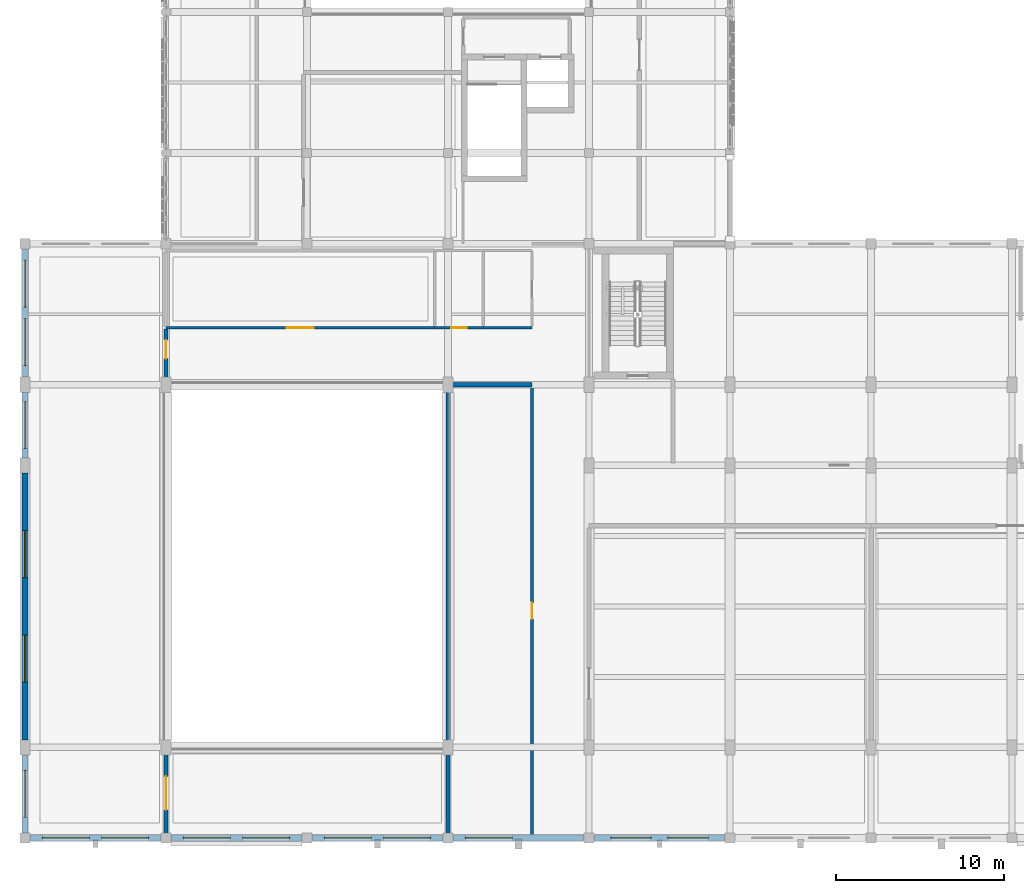
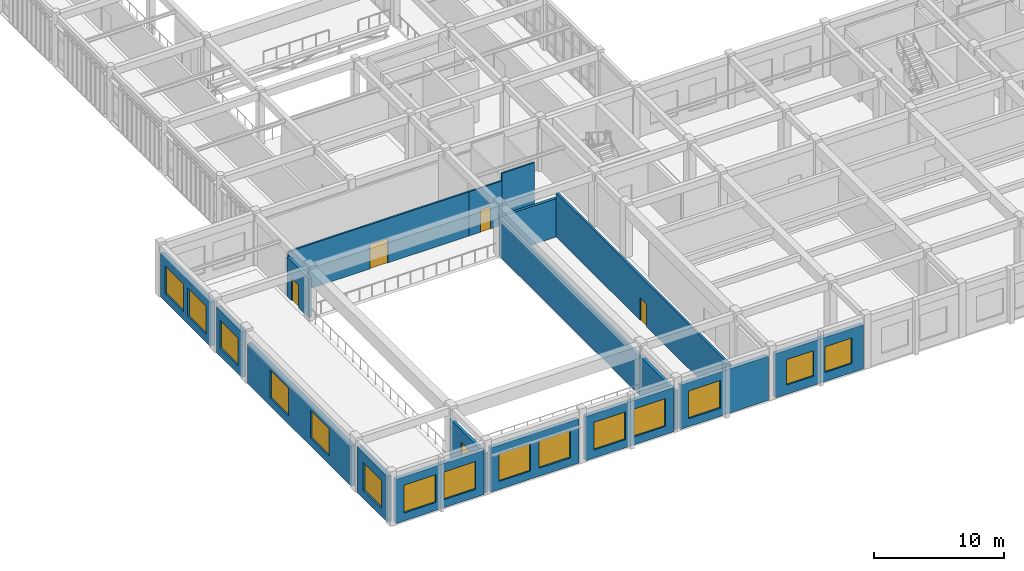
# One storey, part 56 of 77: 18 walls, 15 windows, 5 doors, 20 openings.
"""IFC4 building model written with IfcOpenShell, lengths in metres."""

from ifc_helpers import new_model, si_unit, direction, frame, frame_2d, origin, place, context, subcontext, project, spatial, rectangle, extrude, material, layer, layer_set, type_object, element, fill, save


model = new_model("IFC4")

# Units and contexts
model_context = context("Model", 3, precision=1e-05, world=origin(), true_north=direction((0.0, 1.0)))
body_context = subcontext(model_context, "Body", "Model", "MODEL_VIEW")
ifc_project = project(units=[si_unit("LENGTHUNIT", "METRE"), si_unit("AREAUNIT", "SQUARE_METRE"), si_unit("VOLUMEUNIT", "CUBIC_METRE"), si_unit("PLANEANGLEUNIT", "RADIAN"), si_unit("MASSUNIT", "GRAM", prefix="KILO")], contexts=[model_context])

# Site, building, storey
site_placement = place(None, origin())
site = spatial("IfcSite", under=ifc_project, at=site_placement, CompositionType="ELEMENT")
building_placement = place(site_placement, origin())
building = spatial("IfcBuilding", under=site, at=building_placement, Name="Krzemoval Escarpment Law Courts", CompositionType="ELEMENT")
storey_placement = place(building_placement, frame((0.0, 0.0, 15.300048828125)))
storey = spatial("IfcBuildingStorey", under=building, at=storey_placement, Name="L03", CompositionType="ELEMENT", Elevation=15.300048828125)

# Wall, openings, windows
ifc_material_1 = material(Name="Precast concrete C40/50", Category="concrete")
ifc_layer_1 = layer(ifc_material_1, 0.340087890625)
ifc_layer_set_1 = layer_set([ifc_layer_1], Name="Precast concrete C40/50")
wall_type_1 = type_object("IfcWallType", Name="WL-EXT-340", PredefinedType="SOLIDWALL", material=ifc_layer_set_1)
wall_1_placement = place(storey_placement, frame((41.699951171875, 0.0, 0.0), z_axis=(0.0, 0.0, 1.0), x_axis=(-1.0, 0.0, 0.0)))
wall_1 = element("IfcWall", 1, at=wall_1_placement, inside=storey, type_object=wall_type_1, Name="Exterior Wall EW-L03-0351", PredefinedType="SOLIDWALL", context=body_context, shape_type="SweptSolid", body=[
    extrude(rectangle(XDim=7.800048828125, YDim=0.340087890625, at=frame_2d((3.89990234375, 0.0))), origin(), (0.0, 0.0, 1.0), 4.139892578125),
])
opening_1_placement = place(wall_1_placement, frame((1.0, 0.0, 0.85009765625)))
opening_1 = element("IfcOpeningElement", 2, at=opening_1_placement, cuts=wall_1, Name="Opening WN-L03-0394", PredefinedType="OPENING", context=body_context, shape_type="SweptSolid", body=[
    extrude(rectangle(XDim=2.39990234375, YDim=2.39990234375, at=frame_2d((1.199951171875, 1.199951171875))), frame((0.0, 0.18504, 0.0), z_axis=(0.0, -1.0, 0.0), x_axis=(1.0, 0.0, 0.0)), (0.0, 0.0, 1.0), 0.37009),
])
opening_2_placement = place(wall_1_placement, frame((4.39990234375, 0.0, 0.85009765625)))
opening_2 = element("IfcOpeningElement", 3, at=opening_2_placement, cuts=wall_1, Name="Opening WN-L03-0395", PredefinedType="OPENING", context=body_context, shape_type="SweptSolid", body=[
    extrude(rectangle(XDim=2.39990234375, YDim=2.39990234375, at=frame_2d((1.199951171875, 1.199951171875))), frame((0.0, 0.18504, 0.0), z_axis=(0.0, -1.0, 0.0), x_axis=(1.0, 0.0, 0.0)), (0.0, 0.0, 1.0), 0.37009),
])
ifc_material_2 = material(Name="Thermally Broken Aluminium Frame with Triple Low-E Acoustic Glass", Category="aluminium")
window_type_1 = type_object("IfcWindowType", Name="WN-2400x2400", PartitioningType="SINGLE_PANEL", PredefinedType="WINDOW", material=ifc_material_2)
window_1_placement = place(opening_1_placement, origin())
window_1 = element("IfcWindow", 4, at=window_1_placement, inside=storey, type_object=window_type_1, Name="Facade Window WN-L03-0394", OverallHeight=2.39990234375, OverallWidth=2.39990234375, PartitioningType="SINGLE_PANEL", PredefinedType="WINDOW", context=body_context, shape_type="SweptSolid", body=[
    extrude(rectangle(XDim=2.39990234375, YDim=2.39990234375, at=frame_2d((1.199951171875, 1.199951171875))), frame((0.0, 0.030029296875, 0.0), z_axis=(0.0, -1.0, 0.0), x_axis=(1.0, 0.0, 0.0)), (0.0, 0.0, 1.0), 0.06005859375),
])
fill(opening_1, window_1)
window_2_placement = place(opening_2_placement, origin())
window_2 = element("IfcWindow", 5, at=window_2_placement, inside=storey, type_object=window_type_1, Name="Facade Window WN-L03-0395", OverallHeight=2.39990234375, OverallWidth=2.39990234375, PartitioningType="SINGLE_PANEL", PredefinedType="WINDOW", context=body_context, shape_type="SweptSolid", body=[
    extrude(rectangle(XDim=2.39990234375, YDim=2.39990234375, at=frame_2d((1.199951171875, 1.199951171875))), frame((0.0, 0.030029296875, 0.0), z_axis=(0.0, -1.0, 0.0), x_axis=(1.0, 0.0, 0.0)), (0.0, 0.0, 1.0), 0.06005859375),
])
fill(opening_2, window_2)

# Wall, opening, window
wall_2_placement = place(storey_placement, frame((33.300048828125, 0.0, 0.0), z_axis=(0.0, 0.0, 1.0), x_axis=(-1.0, 0.0, 0.0)))
wall_2 = element("IfcWall", 6, at=wall_2_placement, inside=storey, type_object=wall_type_1, Name="Exterior Wall EW-L03-0352", PredefinedType="SOLIDWALL", context=body_context, shape_type="SweptSolid", body=[
    extrude(rectangle(XDim=7.800048828125, YDim=0.340087890625, at=frame_2d((3.89990234375, 0.0))), origin(), (0.0, 0.0, 1.0), 4.139892578125),
])
opening_3_placement = place(wall_2_placement, frame((4.26708984375, 0.0, 0.75)))
opening_3 = element("IfcOpeningElement", 7, at=opening_3_placement, cuts=wall_2, Name="Opening WN-L03-0396", PredefinedType="OPENING", context=body_context, shape_type="SweptSolid", body=[
    extrude(rectangle(XDim=2.800048828125, YDim=2.60009765625, at=frame_2d((1.39990234375, 1.300048828125))), frame((0.0, 0.18504, 0.0), z_axis=(0.0, -1.0, 0.0), x_axis=(1.0, 0.0, 0.0)), (0.0, 0.0, 1.0), 0.37009),
])
ifc_material_3 = material(Name="Thermally Broken Aluminium Frame with Triple Low-E Acoustic Glass", Category="aluminium")
window_type_2 = type_object("IfcWindowType", Name="WN-2800x2600", PartitioningType="SINGLE_PANEL", PredefinedType="WINDOW", material=ifc_material_3)
window_3_placement = place(opening_3_placement, origin())
window_3 = element("IfcWindow", 8, at=window_3_placement, inside=storey, type_object=window_type_2, Name="Facade Window WN-L03-0396", OverallHeight=2.60009765625, OverallWidth=2.800048828125, PartitioningType="SINGLE_PANEL", PredefinedType="WINDOW", context=body_context, shape_type="SweptSolid", body=[
    extrude(rectangle(XDim=2.800048828125, YDim=2.60009765625, at=frame_2d((1.39990234375, 1.300048828125))), frame((0.0, 0.030029296875, 0.0), z_axis=(0.0, -1.0, 0.0), x_axis=(1.0, 0.0, 0.0)), (0.0, 0.0, 1.0), 0.06005859375),
])
fill(opening_3, window_3)

# Wall, openings, windows
wall_3_placement = place(storey_placement, frame((24.89990234375, 0.0, 0.0), z_axis=(0.0, 0.0, 1.0), x_axis=(-1.0, 0.0, 0.0)))
wall_3 = element("IfcWall", 9, at=wall_3_placement, inside=storey, type_object=wall_type_1, Name="Exterior Wall EW-L03-0353", PredefinedType="SOLIDWALL", context=body_context, shape_type="SweptSolid", body=[
    extrude(rectangle(XDim=7.7998046875, YDim=0.340087890625, at=frame_2d((3.89990234375, 0.0))), origin(), (0.0, 0.0, 1.0), 4.139892578125),
])
opening_4_placement = place(wall_3_placement, frame((0.73291015625, 0.0, 0.75)))
opening_4 = element("IfcOpeningElement", 10, at=opening_4_placement, cuts=wall_3, Name="Opening WN-L03-0397", PredefinedType="OPENING", context=body_context, shape_type="SweptSolid", body=[
    extrude(rectangle(XDim=2.800048828125, YDim=2.60009765625, at=frame_2d((1.39990234375, 1.300048828125))), frame((0.0, 0.18504, 0.0), z_axis=(0.0, -1.0, 0.0), x_axis=(1.0, 0.0, 0.0)), (0.0, 0.0, 1.0), 0.37009),
])
opening_5_placement = place(wall_3_placement, frame((4.26708984375, 0.0, 0.75)))
opening_5 = element("IfcOpeningElement", 11, at=opening_5_placement, cuts=wall_3, Name="Opening WN-L03-0398", PredefinedType="OPENING", context=body_context, shape_type="SweptSolid", body=[
    extrude(rectangle(XDim=2.800048828125, YDim=2.60009765625, at=frame_2d((1.39990234375, 1.300048828125))), frame((0.0, 0.18504, 0.0), z_axis=(0.0, -1.0, 0.0), x_axis=(1.0, 0.0, 0.0)), (0.0, 0.0, 1.0), 0.37009),
])
window_4_placement = place(opening_4_placement, origin())
window_4 = element("IfcWindow", 12, at=window_4_placement, inside=storey, type_object=window_type_2, Name="Facade Window WN-L03-0397", OverallHeight=2.60009765625, OverallWidth=2.800048828125, PartitioningType="SINGLE_PANEL", PredefinedType="WINDOW", context=body_context, shape_type="SweptSolid", body=[
    extrude(rectangle(XDim=2.800048828125, YDim=2.60009765625, at=frame_2d((1.39990234375, 1.300048828125))), frame((0.0, 0.030029296875, 0.0), z_axis=(0.0, -1.0, 0.0), x_axis=(1.0, 0.0, 0.0)), (0.0, 0.0, 1.0), 0.06005859375),
])
fill(opening_4, window_4)
window_5_placement = place(opening_5_placement, origin())
window_5 = element("IfcWindow", 13, at=window_5_placement, inside=storey, type_object=window_type_2, Name="Facade Window WN-L03-0398", OverallHeight=2.60009765625, OverallWidth=2.800048828125, PartitioningType="SINGLE_PANEL", PredefinedType="WINDOW", context=body_context, shape_type="SweptSolid", body=[
    extrude(rectangle(XDim=2.800048828125, YDim=2.60009765625, at=frame_2d((1.39990234375, 1.300048828125))), frame((0.0, 0.030029296875, 0.0), z_axis=(0.0, -1.0, 0.0), x_axis=(1.0, 0.0, 0.0)), (0.0, 0.0, 1.0), 0.06005859375),
])
fill(opening_5, window_5)

wall_4_placement = place(storey_placement, frame((16.5, 0.0, 0.0), z_axis=(0.0, 0.0, 1.0), x_axis=(-1.0, 0.0, 0.0)))
wall_4 = element("IfcWall", 14, at=wall_4_placement, inside=storey, type_object=wall_type_1, Name="Exterior Wall EW-L03-0354", PredefinedType="SOLIDWALL", context=body_context, shape_type="SweptSolid", body=[
    extrude(rectangle(XDim=7.800048828125, YDim=0.340087890625, at=frame_2d((3.89990234375, 0.0))), origin(), (0.0, 0.0, 1.0), 4.139892578125),
])
opening_6_placement = place(wall_4_placement, frame((0.73291015625, 0.0, 0.75)))
opening_6 = element("IfcOpeningElement", 15, at=opening_6_placement, cuts=wall_4, Name="Opening WN-L03-0399", PredefinedType="OPENING", context=body_context, shape_type="SweptSolid", body=[
    extrude(rectangle(XDim=2.800048828125, YDim=2.60009765625, at=frame_2d((1.39990234375, 1.300048828125))), frame((0.0, 0.18504, 0.0), z_axis=(0.0, -1.0, 0.0), x_axis=(1.0, 0.0, 0.0)), (0.0, 0.0, 1.0), 0.37009),
])
opening_7_placement = place(wall_4_placement, frame((4.26708984375, 0.0, 0.75)))
opening_7 = element("IfcOpeningElement", 16, at=opening_7_placement, cuts=wall_4, Name="Opening WN-L03-0400", PredefinedType="OPENING", context=body_context, shape_type="SweptSolid", body=[
    extrude(rectangle(XDim=2.800048828125, YDim=2.60009765625, at=frame_2d((1.39990234375, 1.300048828125))), frame((0.0, 0.18504, 0.0), z_axis=(0.0, -1.0, 0.0), x_axis=(1.0, 0.0, 0.0)), (0.0, 0.0, 1.0), 0.37009),
])
window_6_placement = place(opening_6_placement, origin())
window_6 = element("IfcWindow", 17, at=window_6_placement, inside=storey, type_object=window_type_2, Name="Facade Window WN-L03-0399", OverallHeight=2.60009765625, OverallWidth=2.800048828125, PartitioningType="SINGLE_PANEL", PredefinedType="WINDOW", context=body_context, shape_type="SweptSolid", body=[
    extrude(rectangle(XDim=2.800048828125, YDim=2.60009765625, at=frame_2d((1.39990234375, 1.300048828125))), frame((0.0, 0.030029296875, 0.0), z_axis=(0.0, -1.0, 0.0), x_axis=(1.0, 0.0, 0.0)), (0.0, 0.0, 1.0), 0.06005859375),
])
fill(opening_6, window_6)
window_7_placement = place(opening_7_placement, origin())
window_7 = element("IfcWindow", 18, at=window_7_placement, inside=storey, type_object=window_type_2, Name="Facade Window WN-L03-0400", OverallHeight=2.60009765625, OverallWidth=2.800048828125, PartitioningType="SINGLE_PANEL", PredefinedType="WINDOW", context=body_context, shape_type="SweptSolid", body=[
    extrude(rectangle(XDim=2.800048828125, YDim=2.60009765625, at=frame_2d((1.39990234375, 1.300048828125))), frame((0.0, 0.030029296875, 0.0), z_axis=(0.0, -1.0, 0.0), x_axis=(1.0, 0.0, 0.0)), (0.0, 0.0, 1.0), 0.06005859375),
])
fill(opening_7, window_7)

wall_5_placement = place(storey_placement, frame((8.10009765625, 0.0, 0.0), z_axis=(0.0, 0.0, 1.0), x_axis=(-1.0, 0.0, 0.0)))
wall_5 = element("IfcWall", 19, at=wall_5_placement, inside=storey, type_object=wall_type_1, Name="Exterior Wall EW-L03-0355", PredefinedType="SOLIDWALL", context=body_context, shape_type="SweptSolid", body=[
    extrude(rectangle(XDim=7.800048828125, YDim=0.340087890625, at=frame_2d((3.89990234375, 0.0))), origin(), (0.0, 0.0, 1.0), 4.139892578125),
])
opening_8_placement = place(wall_5_placement, frame((0.73291015625, 0.0, 0.75)))
opening_8 = element("IfcOpeningElement", 20, at=opening_8_placement, cuts=wall_5, Name="Opening WN-L03-0401", PredefinedType="OPENING", context=body_context, shape_type="SweptSolid", body=[
    extrude(rectangle(XDim=2.800048828125, YDim=2.60009765625, at=frame_2d((1.39990234375, 1.300048828125))), frame((0.0, 0.18504, 0.0), z_axis=(0.0, -1.0, 0.0), x_axis=(1.0, 0.0, 0.0)), (0.0, 0.0, 1.0), 0.37009),
])
opening_9_placement = place(wall_5_placement, frame((4.26708984375, 0.0, 0.75)))
opening_9 = element("IfcOpeningElement", 21, at=opening_9_placement, cuts=wall_5, Name="Opening WN-L03-0402", PredefinedType="OPENING", context=body_context, shape_type="SweptSolid", body=[
    extrude(rectangle(XDim=2.800048828125, YDim=2.60009765625, at=frame_2d((1.39990234375, 1.300048828125))), frame((0.0, 0.18504, 0.0), z_axis=(0.0, -1.0, 0.0), x_axis=(1.0, 0.0, 0.0)), (0.0, 0.0, 1.0), 0.37009),
])
window_8_placement = place(opening_8_placement, origin())
window_8 = element("IfcWindow", 22, at=window_8_placement, inside=storey, type_object=window_type_2, Name="Facade Window WN-L03-0401", OverallHeight=2.60009765625, OverallWidth=2.800048828125, PartitioningType="SINGLE_PANEL", PredefinedType="WINDOW", context=body_context, shape_type="SweptSolid", body=[
    extrude(rectangle(XDim=2.800048828125, YDim=2.60009765625, at=frame_2d((1.39990234375, 1.300048828125))), frame((0.0, 0.030029296875, 0.0), z_axis=(0.0, -1.0, 0.0), x_axis=(1.0, 0.0, 0.0)), (0.0, 0.0, 1.0), 0.06005859375),
])
fill(opening_8, window_8)
window_9_placement = place(opening_9_placement, origin())
window_9 = element("IfcWindow", 23, at=window_9_placement, inside=storey, type_object=window_type_2, Name="Facade Window WN-L03-0402", OverallHeight=2.60009765625, OverallWidth=2.800048828125, PartitioningType="SINGLE_PANEL", PredefinedType="WINDOW", context=body_context, shape_type="SweptSolid", body=[
    extrude(rectangle(XDim=2.800048828125, YDim=2.60009765625, at=frame_2d((1.39990234375, 1.300048828125))), frame((0.0, 0.030029296875, 0.0), z_axis=(0.0, -1.0, 0.0), x_axis=(1.0, 0.0, 0.0)), (0.0, 0.0, 1.0), 0.06005859375),
])
fill(opening_9, window_9)

# Wall, opening, window
wall_6_placement = place(storey_placement, frame((0.0, 0.300048828125, 0.0), z_axis=(0.0, 0.0, 1.0), x_axis=(0.0, 1.0, 0.0)))
wall_6 = element("IfcWall", 24, at=wall_6_placement, inside=storey, type_object=wall_type_1, Name="Exterior Wall EW-L03-0356", PredefinedType="SOLIDWALL", context=body_context, shape_type="SweptSolid", body=[
    extrude(rectangle(XDim=4.64990234375, YDim=0.340087890625, at=frame_2d((2.324951171875, 0.0))), origin(), (0.0, 0.0, 1.0), 4.2900390625),
])
opening_10_placement = place(wall_6_placement, frame((0.925048828125, 0.0, 0.75)))
opening_10 = element("IfcOpeningElement", 25, at=opening_10_placement, cuts=wall_6, Name="Opening WN-L03-0403", PredefinedType="OPENING", context=body_context, shape_type="SweptSolid", body=[
    extrude(rectangle(XDim=2.800048828125, YDim=2.60009765625, at=frame_2d((1.39990234375, 1.300048828125))), frame((0.0, 0.18504, 0.0), z_axis=(0.0, -1.0, 0.0), x_axis=(1.0, 0.0, 0.0)), (0.0, 0.0, 1.0), 0.37009),
])
window_10_placement = place(opening_10_placement, origin())
window_10 = element("IfcWindow", 26, at=window_10_placement, inside=storey, type_object=window_type_2, Name="Facade Window WN-L03-0403", OverallHeight=2.60009765625, OverallWidth=2.800048828125, PartitioningType="SINGLE_PANEL", PredefinedType="WINDOW", context=body_context, shape_type="SweptSolid", body=[
    extrude(rectangle(XDim=2.800048828125, YDim=2.60009765625, at=frame_2d((1.39990234375, 1.300048828125))), frame((0.0, 0.030029296875, 0.0), z_axis=(0.0, -1.0, 0.0), x_axis=(1.0, 0.0, 0.0)), (0.0, 0.0, 1.0), 0.06005859375),
])
fill(opening_10, window_10)

# Wall, openings, windows
wall_7_placement = place(storey_placement, frame((0.0, 5.85009765625, 0.0), z_axis=(0.0, 0.0, 1.0), x_axis=(0.0, 1.0, 0.0)))
wall_7 = element("IfcWall", 27, at=wall_7_placement, inside=storey, type_object=wall_type_1, Name="Exterior Wall EW-L03-0357", PredefinedType="SOLIDWALL", context=body_context, shape_type="SweptSolid", body=[
    extrude(rectangle(XDim=15.89990234375, YDim=0.340087890625, at=frame_2d((7.949951171875, 0.0))), origin(), (0.0, 0.0, 1.0), 3.7900390625),
])
opening_11_placement = place(wall_7_placement, frame((3.43310546875, 0.0, 0.75)))
opening_11 = element("IfcOpeningElement", 28, at=opening_11_placement, cuts=wall_7, Name="Opening WN-L03-0404", PredefinedType="OPENING", context=body_context, shape_type="SweptSolid", body=[
    extrude(rectangle(XDim=2.800048828125, YDim=2.60009765625, at=frame_2d((1.39990234375, 1.300048828125))), frame((0.0, 0.18504, 0.0), z_axis=(0.0, -1.0, 0.0), x_axis=(1.0, 0.0, 0.0)), (0.0, 0.0, 1.0), 0.37009),
])
opening_12_placement = place(wall_7_placement, frame((9.6669921875, 0.0, 0.75)))
opening_12 = element("IfcOpeningElement", 29, at=opening_12_placement, cuts=wall_7, Name="Opening WN-L03-0405", PredefinedType="OPENING", context=body_context, shape_type="SweptSolid", body=[
    extrude(rectangle(XDim=2.800048828125, YDim=2.60009765625, at=frame_2d((1.39990234375, 1.300048828125))), frame((0.0, 0.18504, 0.0), z_axis=(0.0, -1.0, 0.0), x_axis=(1.0, 0.0, 0.0)), (0.0, 0.0, 1.0), 0.37009),
])
window_11_placement = place(opening_11_placement, origin())
window_11 = element("IfcWindow", 30, at=window_11_placement, inside=storey, type_object=window_type_2, Name="Facade Window WN-L03-0404", OverallHeight=2.60009765625, OverallWidth=2.800048828125, PartitioningType="SINGLE_PANEL", PredefinedType="WINDOW", context=body_context, shape_type="SweptSolid", body=[
    extrude(rectangle(XDim=2.800048828125, YDim=2.60009765625, at=frame_2d((1.39990234375, 1.300048828125))), frame((0.0, 0.030029296875, 0.0), z_axis=(0.0, -1.0, 0.0), x_axis=(1.0, 0.0, 0.0)), (0.0, 0.0, 1.0), 0.06005859375),
])
fill(opening_11, window_11)
window_12_placement = place(opening_12_placement, origin())
window_12 = element("IfcWindow", 31, at=window_12_placement, inside=storey, type_object=window_type_2, Name="Facade Window WN-L03-0405", OverallHeight=2.60009765625, OverallWidth=2.800048828125, PartitioningType="SINGLE_PANEL", PredefinedType="WINDOW", context=body_context, shape_type="SweptSolid", body=[
    extrude(rectangle(XDim=2.800048828125, YDim=2.60009765625, at=frame_2d((1.39990234375, 1.300048828125))), frame((0.0, 0.030029296875, 0.0), z_axis=(0.0, -1.0, 0.0), x_axis=(1.0, 0.0, 0.0)), (0.0, 0.0, 1.0), 0.06005859375),
])
fill(opening_12, window_12)

# Wall, opening, window
wall_8_placement = place(storey_placement, frame((0.0, 22.64990234375, 0.0), z_axis=(0.0, 0.0, 1.0), x_axis=(0.0, 1.0, 0.0)))
wall_8 = element("IfcWall", 32, at=wall_8_placement, inside=storey, type_object=wall_type_1, Name="Exterior Wall EW-L03-0358", PredefinedType="SOLIDWALL", context=body_context, shape_type="SweptSolid", body=[
    extrude(rectangle(XDim=3.900146484375, YDim=0.340087890625, at=frame_2d((1.9501953125, 0.0))), origin(), (0.0, 0.0, 1.0), 4.2900390625),
])
opening_13_placement = place(wall_8_placement, frame((0.550048828125, 0.0, 0.75)))
opening_13 = element("IfcOpeningElement", 33, at=opening_13_placement, cuts=wall_8, Name="Opening WN-L03-0406", PredefinedType="OPENING", context=body_context, shape_type="SweptSolid", body=[
    extrude(rectangle(XDim=2.800048828125, YDim=2.60009765625, at=frame_2d((1.39990234375, 1.300048828125))), frame((0.0, 0.18504, 0.0), z_axis=(0.0, -1.0, 0.0), x_axis=(1.0, 0.0, 0.0)), (0.0, 0.0, 1.0), 0.37009),
])
window_13_placement = place(opening_13_placement, origin())
window_13 = element("IfcWindow", 34, at=window_13_placement, inside=storey, type_object=window_type_2, Name="Facade Window WN-L03-0406", OverallHeight=2.60009765625, OverallWidth=2.800048828125, PartitioningType="SINGLE_PANEL", PredefinedType="WINDOW", context=body_context, shape_type="SweptSolid", body=[
    extrude(rectangle(XDim=2.800048828125, YDim=2.60009765625, at=frame_2d((1.39990234375, 1.300048828125))), frame((0.0, 0.030029296875, 0.0), z_axis=(0.0, -1.0, 0.0), x_axis=(1.0, 0.0, 0.0)), (0.0, 0.0, 1.0), 0.06005859375),
])
fill(opening_13, window_13)

# Wall, openings, windows
wall_9_placement = place(storey_placement, frame((0.0, 27.449951171875, 0.0), z_axis=(0.0, 0.0, 1.0), x_axis=(0.0, 1.0, 0.0)))
wall_9 = element("IfcWall", 35, at=wall_9_placement, inside=storey, type_object=wall_type_1, Name="Exterior Wall EW-L03-0359", PredefinedType="SOLIDWALL", context=body_context, shape_type="SweptSolid", body=[
    extrude(rectangle(XDim=7.650146484375, YDim=0.340087890625, at=frame_2d((3.8251953125, 0.0))), origin(), (0.0, 0.0, 1.0), 4.139892578125),
])
opening_14_placement = place(wall_9_placement, frame((0.68310546875, 0.0, 0.75)))
opening_14 = element("IfcOpeningElement", 36, at=opening_14_placement, cuts=wall_9, Name="Opening WN-L03-0407", PredefinedType="OPENING", context=body_context, shape_type="SweptSolid", body=[
    extrude(rectangle(XDim=2.800048828125, YDim=2.60009765625, at=frame_2d((1.39990234375, 1.300048828125))), frame((0.0, 0.18504, 0.0), z_axis=(0.0, -1.0, 0.0), x_axis=(1.0, 0.0, 0.0)), (0.0, 0.0, 1.0), 0.37009),
])
opening_15_placement = place(wall_9_placement, frame((4.1669921875, 0.0, 0.75)))
opening_15 = element("IfcOpeningElement", 37, at=opening_15_placement, cuts=wall_9, Name="Opening WN-L03-0408", PredefinedType="OPENING", context=body_context, shape_type="SweptSolid", body=[
    extrude(rectangle(XDim=2.800048828125, YDim=2.60009765625, at=frame_2d((1.39990234375, 1.300048828125))), frame((0.0, 0.18504, 0.0), z_axis=(0.0, -1.0, 0.0), x_axis=(1.0, 0.0, 0.0)), (0.0, 0.0, 1.0), 0.37009),
])
window_14_placement = place(opening_14_placement, origin())
window_14 = element("IfcWindow", 38, at=window_14_placement, inside=storey, type_object=window_type_2, Name="Facade Window WN-L03-0407", OverallHeight=2.60009765625, OverallWidth=2.800048828125, PartitioningType="SINGLE_PANEL", PredefinedType="WINDOW", context=body_context, shape_type="SweptSolid", body=[
    extrude(rectangle(XDim=2.800048828125, YDim=2.60009765625, at=frame_2d((1.39990234375, 1.300048828125))), frame((0.0, 0.030029296875, 0.0), z_axis=(0.0, -1.0, 0.0), x_axis=(1.0, 0.0, 0.0)), (0.0, 0.0, 1.0), 0.06005859375),
])
fill(opening_14, window_14)
window_15_placement = place(opening_15_placement, origin())
window_15 = element("IfcWindow", 39, at=window_15_placement, inside=storey, type_object=window_type_2, Name="Facade Window WN-L03-0408", OverallHeight=2.60009765625, OverallWidth=2.800048828125, PartitioningType="SINGLE_PANEL", PredefinedType="WINDOW", context=body_context, shape_type="SweptSolid", body=[
    extrude(rectangle(XDim=2.800048828125, YDim=2.60009765625, at=frame_2d((1.39990234375, 1.300048828125))), frame((0.0, 0.030029296875, 0.0), z_axis=(0.0, -1.0, 0.0), x_axis=(1.0, 0.0, 0.0)), (0.0, 0.0, 1.0), 0.06005859375),
])
fill(opening_15, window_15)

# Wall, opening, door
ifc_material_4 = material(Name="Sanitary Moisture-Resistant Partition", Category="gypsum")
ifc_layer_2 = layer(ifc_material_4, 0.139892578125)
ifc_layer_set_2 = layer_set([ifc_layer_2], Name="Sanitary Moisture-Resistant Partition")
wall_type_2 = type_object("IfcWallType", Name="WL-PRT-140", PredefinedType="PARTITIONING", material=ifc_layer_set_2)
wall_10_placement = place(storey_placement, frame((24.39990234375, 30.39990234375, 0.0), z_axis=(0.0, 0.0, 1.0), x_axis=(1.0, 0.0, 0.0)))
wall_10 = element("IfcWall", 40, at=wall_10_placement, inside=storey, type_object=wall_type_2, Name="Interior Partition PW-L03-0501", PredefinedType="PARTITIONING", context=body_context, shape_type="SweptSolid", body=[
    extrude(rectangle(XDim=2.900146484375, YDim=0.139892578125, at=frame_2d((1.4501953125, 0.0))), origin(), (0.0, 0.0, 1.0), 4.139892578125),
])
opening_16_placement = place(wall_10_placement, frame((1.0, 0.0, 0.0)))
opening_16 = element("IfcOpeningElement", 41, at=opening_16_placement, cuts=wall_10, Name="Opening D-L03-0175", PredefinedType="OPENING", context=body_context, shape_type="SweptSolid", body=[
    extrude(rectangle(XDim=0.89990234375, YDim=2.10009765625, at=frame_2d((0.449951171875, 1.050048828125))), frame((0.0, 0.08495, 0.0), z_axis=(0.0, -1.0, 0.0), x_axis=(1.0, 0.0, 0.0)), (0.0, 0.0, 1.0), 0.16989),
])
ifc_material_5 = material(Name="Engineered Solid-Core Oak Acoustic Timber", Category="wood")
door_type_1 = type_object("IfcDoorType", Name="DR-INT-900x2100", OperationType="SINGLE_SWING_LEFT", PredefinedType="DOOR", material=ifc_material_5)
door_1_placement = place(opening_16_placement, origin())
door_1 = element("IfcDoor", 42, at=door_1_placement, inside=storey, type_object=door_type_1, Name="Room Door D-L03-0175", OperationType="SINGLE_SWING_RIGHT", OverallHeight=2.10009765625, OverallWidth=0.89990234375, PredefinedType="DOOR", context=body_context, shape_type="SweptSolid", body=[
    extrude(rectangle(XDim=0.89990234375, YDim=2.10009765625, at=frame_2d((0.449951171875, 1.050048828125))), frame((0.0, 0.02490234375, 0.0), z_axis=(0.0, -1.0, 0.0), x_axis=(1.0, 0.0, 0.0)), (0.0, 0.0, 1.0), 0.050048828125),
])
fill(opening_16, door_1)

# Wall
wall_11_placement = place(storey_placement, frame((27.300048828125, 30.39990234375, 0.0), z_axis=(0.0, 0.0, 1.0), x_axis=(1.0, 0.0, 0.0)))
element("IfcWall", 43, at=wall_11_placement, inside=storey, type_object=wall_type_2, Name="Interior Partition PW-L03-0502", PredefinedType="PARTITIONING", context=body_context, shape_type="SweptSolid", body=[
    extrude(rectangle(XDim=2.89990234375, YDim=0.139892578125, at=frame_2d((1.449951171875, 0.0))), origin(), (0.0, 0.0, 1.0), 4.83984375),
])

# Wall, opening, door
ifc_material_6 = material(Name="Office Acoustic Partition Wall", Category="gypsum")
ifc_layer_3 = layer(ifc_material_6, 0.14990234375)
ifc_layer_set_3 = layer_set([ifc_layer_3], Name="Office Acoustic Partition Wall")
wall_type_3 = type_object("IfcWallType", Name="WL-PRT-150", PredefinedType="PARTITIONING", material=ifc_layer_set_3)
wall_12_placement = place(storey_placement, frame((8.39990234375, 30.39990234375, 0.0), z_axis=(0.0, 0.0, 1.0), x_axis=(1.0, 0.0, 0.0)))
wall_12 = element("IfcWall", 44, at=wall_12_placement, inside=storey, type_object=wall_type_3, Name="Interior Partition PW-L03-0500", PredefinedType="PARTITIONING", context=body_context, shape_type="SweptSolid", body=[
    extrude(rectangle(XDim=16.0, YDim=0.14990234375, at=frame_2d((8.0, 0.0))), origin(), (0.0, 0.0, 1.0), 4.139892578125),
])
opening_17_placement = place(wall_12_placement, frame((7.199951171875, 0.0, 0.0)))
opening_17 = element("IfcOpeningElement", 45, at=opening_17_placement, cuts=wall_12, Name="Opening D-L03-0174", PredefinedType="OPENING", context=body_context, shape_type="SweptSolid", body=[
    extrude(rectangle(XDim=1.60009765625, YDim=2.300048828125, at=frame_2d((0.800048828125, 1.14990234375))), frame((0.0, 0.08995, 0.0), z_axis=(0.0, -1.0, 0.0), x_axis=(1.0, 0.0, 0.0)), (0.0, 0.0, 1.0), 0.1799),
])
ifc_material_7 = material(Name="Engineered Solid-Core Oak Acoustic Timber", Category="wood")
door_type_2 = type_object("IfcDoorType", Name="DR-CRT-1600x2300", OperationType="SINGLE_SWING_LEFT", PredefinedType="DOOR", material=ifc_material_7)
door_2_placement = place(opening_17_placement, origin())
door_2 = element("IfcDoor", 46, at=door_2_placement, inside=storey, type_object=door_type_2, Name="Room Door D-L03-0174", OperationType="SINGLE_SWING_LEFT", OverallHeight=2.300048828125, OverallWidth=1.60009765625, PredefinedType="DOOR", context=body_context, shape_type="SweptSolid", body=[
    extrude(rectangle(XDim=1.60009765625, YDim=2.300048828125, at=frame_2d((0.800048828125, 1.14990234375))), frame((0.0, 0.02490234375, 0.0), z_axis=(0.0, -1.0, 0.0), x_axis=(1.0, 0.0, 0.0)), (0.0, 0.0, 1.0), 0.050048828125),
])
fill(opening_17, door_2)

ifc_material_8 = material(Name="Judicial Chambers Acoustic Partition", Category="gypsum")
ifc_layer_4 = layer(ifc_material_8, 0.179931640625)
ifc_layer_set_4 = layer_set([ifc_layer_4], Name="Judicial Chambers Acoustic Partition")
wall_type_4 = type_object("IfcWallType", Name="WL-PRT-180", PredefinedType="PARTITIONING", material=ifc_layer_set_4)
wall_13_placement = place(storey_placement, frame((30.199951171875, 0.172119140625, 0.0), z_axis=(0.0, 0.0, 1.0), x_axis=(0.0, 1.0, 0.0)))
wall_13 = element("IfcWall", 47, at=wall_13_placement, inside=storey, type_object=wall_type_4, Name="Interior Partition PW-L03-0544", PredefinedType="PARTITIONING", context=body_context, shape_type="SweptSolid", body=[
    extrude(rectangle(XDim=26.705810546875, YDim=0.179931640625, at=frame_2d((13.35302734375, 0.0))), origin(), (0.0, 0.0, 1.0), 4.139892578125),
])
opening_18_placement = place(wall_13_placement, frame((12.8779296875, 0.0, 0.0)))
opening_18 = element("IfcOpeningElement", 48, at=opening_18_placement, cuts=wall_13, Name="Opening D-L03-0173", PredefinedType="OPENING", context=body_context, shape_type="SweptSolid", body=[
    extrude(rectangle(XDim=0.949951171875, YDim=2.10009765625, at=frame_2d((0.47509765625, 1.050048828125))), frame((0.0, 0.10497, 0.0), z_axis=(0.0, -1.0, 0.0), x_axis=(1.0, 0.0, 0.0)), (0.0, 0.0, 1.0), 0.20993),
])
ifc_material_9 = material(Name="Engineered Solid-Core Oak Acoustic Timber", Category="wood")
door_type_3 = type_object("IfcDoorType", Name="DR-INT-950x2100", OperationType="SINGLE_SWING_LEFT", PredefinedType="DOOR", material=ifc_material_9)
door_3_placement = place(opening_18_placement, origin())
door_3 = element("IfcDoor", 49, at=door_3_placement, inside=storey, type_object=door_type_3, Name="Room Door D-L03-0173", OperationType="SINGLE_SWING_LEFT", OverallHeight=2.10009765625, OverallWidth=0.949951171875, PredefinedType="DOOR", context=body_context, shape_type="SweptSolid", body=[
    extrude(rectangle(XDim=0.949951171875, YDim=2.10009765625, at=frame_2d((0.47509765625, 1.050048828125))), frame((0.0, 0.02490234375, 0.0), z_axis=(0.0, -1.0, 0.0), x_axis=(1.0, 0.0, 0.0)), (0.0, 0.0, 1.0), 0.050048828125),
])
fill(opening_18, door_3)

# Wall
ifc_material_10 = material(Name="Acoustic Courtroom Partition Assembly", Category="gypsum")
ifc_layer_5 = layer(ifc_material_10, 0.239990234375)
ifc_layer_set_5 = layer_set([ifc_layer_5], Name="Acoustic Courtroom Partition Assembly")
wall_type_5 = type_object("IfcWallType", Name="WL-PRT-240", PredefinedType="PARTITIONING", material=ifc_layer_set_5)
wall_14_placement = place(storey_placement, frame((25.199951171875, 27.0, 0.0), z_axis=(0.0, 0.0, 1.0), x_axis=(1.0, 0.0, 0.0)))
element("IfcWall", 50, at=wall_14_placement, inside=storey, type_object=wall_type_5, Name="Interior Partition PW-L03-0497", PredefinedType="PARTITIONING", context=body_context, shape_type="SweptSolid", body=[
    extrude(rectangle(XDim=5.0, YDim=0.239990234375, at=frame_2d((2.5, 0.0))), origin(), (0.0, 0.0, 1.0), 3.58984375),
])

# Wall, opening, door
wall_15_placement = place(storey_placement, frame((8.39990234375, -0.06396484375, 0.0), z_axis=(0.0, 0.0, 1.0), x_axis=(0.0, 1.0, 0.0)))
wall_15 = element("IfcWall", 51, at=wall_15_placement, inside=storey, type_object=wall_type_5, Name="Interior Partition PW-L03-0532", PredefinedType="PARTITIONING", context=body_context, shape_type="SweptSolid", body=[
    extrude(rectangle(XDim=5.4638671875, YDim=0.239990234375, at=frame_2d((2.73193359375, 0.0))), origin(), (0.0, 0.0, 1.0), 3.68994140625),
])
opening_19_placement = place(wall_15_placement, frame((1.73193359375, 0.0, 0.0)))
opening_19 = element("IfcOpeningElement", 52, at=opening_19_placement, cuts=wall_15, Name="Opening D-L03-0172", PredefinedType="OPENING", context=body_context, shape_type="SweptSolid", body=[
    extrude(rectangle(XDim=2.0, YDim=2.5, at=frame_2d((1.0, 1.25))), frame((0.0, 0.135, 0.0), z_axis=(0.0, -1.0, 0.0), x_axis=(1.0, 0.0, 0.0)), (0.0, 0.0, 1.0), 0.26999),
])
ifc_material_11 = material(Name="Engineered Solid-Core Oak Acoustic Timber", Category="wood")
door_type_4 = type_object("IfcDoorType", Name="DR-CRT-2000x2500", OperationType="SINGLE_SWING_LEFT", PredefinedType="DOOR", material=ifc_material_11)
door_4_placement = place(opening_19_placement, origin())
door_4 = element("IfcDoor", 53, at=door_4_placement, inside=storey, type_object=door_type_4, Name="Room Door D-L03-0172", OperationType="SINGLE_SWING_LEFT", OverallHeight=2.5, OverallWidth=2.0, PredefinedType="DOOR", context=body_context, shape_type="SweptSolid", body=[
    extrude(rectangle(XDim=2.0, YDim=2.5, at=frame_2d((1.0, 1.25))), frame((0.0, 0.02490234375, 0.0), z_axis=(0.0, -1.0, 0.0), x_axis=(1.0, 0.0, 0.0)), (0.0, 0.0, 1.0), 0.050048828125),
])
fill(opening_19, door_4)

ifc_material_12 = material(Name="Acoustic Double-Stud Gypsum and Mineral Wool Wall", Category="gypsum")
ifc_layer_6 = layer(ifc_material_12, 0.260009765625)
ifc_layer_set_6 = layer_set([ifc_layer_6], Name="Acoustic Double-Stud Gypsum and Mineral Wool Wall")
wall_type_6 = type_object("IfcWallType", Name="WL-PRT-260", PredefinedType="PARTITIONING", material=ifc_layer_set_6)
wall_16_placement = place(storey_placement, frame((8.39990234375, 27.0, 0.0), z_axis=(0.0, 0.0, 1.0), x_axis=(0.0, 1.0, 0.0)))
wall_16 = element("IfcWall", 54, at=wall_16_placement, inside=storey, type_object=wall_type_6, Name="Interior Partition PW-L03-0533", PredefinedType="PARTITIONING", context=body_context, shape_type="SweptSolid", body=[
    extrude(rectangle(XDim=3.322998046875, YDim=0.260009765625, at=frame_2d((1.66162109375, 0.0))), origin(), (0.0, 0.0, 1.0), 3.68994140625),
])
opening_20_placement = place(wall_16_placement, frame((1.56201171875, 0.0, 0.0)))
opening_20 = element("IfcOpeningElement", 55, at=opening_20_placement, cuts=wall_16, Name="Opening D-L03-0171", PredefinedType="OPENING", context=body_context, shape_type="SweptSolid", body=[
    extrude(rectangle(XDim=1.10009765625, YDim=2.10009765625, at=frame_2d((0.550048828125, 1.050048828125))), frame((0.0, 0.145, 0.0), z_axis=(0.0, -1.0, 0.0), x_axis=(1.0, 0.0, 0.0)), (0.0, 0.0, 1.0), 0.29001),
])
ifc_material_13 = material(Name="Engineered Solid-Core Oak Acoustic Timber", Category="wood")
door_type_5 = type_object("IfcDoorType", Name="DR-INT-1100x2100", OperationType="SINGLE_SWING_LEFT", PredefinedType="DOOR", material=ifc_material_13)
door_5_placement = place(opening_20_placement, origin())
door_5 = element("IfcDoor", 56, at=door_5_placement, inside=storey, type_object=door_type_5, Name="Room Door D-L03-0171", OperationType="SINGLE_SWING_RIGHT", OverallHeight=2.10009765625, OverallWidth=1.10009765625, PredefinedType="DOOR", context=body_context, shape_type="SweptSolid", body=[
    extrude(rectangle(XDim=1.10009765625, YDim=2.10009765625, at=frame_2d((0.550048828125, 1.050048828125))), frame((0.0, 0.02490234375, 0.0), z_axis=(0.0, -1.0, 0.0), x_axis=(1.0, 0.0, 0.0)), (0.0, 0.0, 1.0), 0.050048828125),
])
fill(opening_20, door_5)

# Walls
wall_17_placement = place(storey_placement, frame((25.199951171875, -0.06396484375, 0.0), z_axis=(0.0, 0.0, 1.0), x_axis=(0.0, 1.0, 0.0)))
element("IfcWall", 57, at=wall_17_placement, inside=storey, type_object=wall_type_6, Name="Interior Partition PW-L03-0539", PredefinedType="PARTITIONING", context=body_context, shape_type="SweptSolid", body=[
    extrude(rectangle(XDim=5.4638671875, YDim=0.260009765625, at=frame_2d((2.73193359375, 0.0))), origin(), (0.0, 0.0, 1.0), 3.68994140625),
])
wall_18_placement = place(storey_placement, frame((25.199951171875, 5.39990234375, 0.0), z_axis=(0.0, 0.0, 1.0), x_axis=(0.0, 1.0, 0.0)))
element("IfcWall", 58, at=wall_18_placement, inside=storey, type_object=wall_type_6, Name="Interior Partition PW-L03-0540", PredefinedType="PARTITIONING", context=body_context, shape_type="SweptSolid", body=[
    extrude(rectangle(XDim=21.47802734375, YDim=0.260009765625, at=frame_2d((10.739013671875, 0.0))), origin(), (0.0, 0.0, 1.0), 3.58984375),
])

save(model, "model.ifc")
